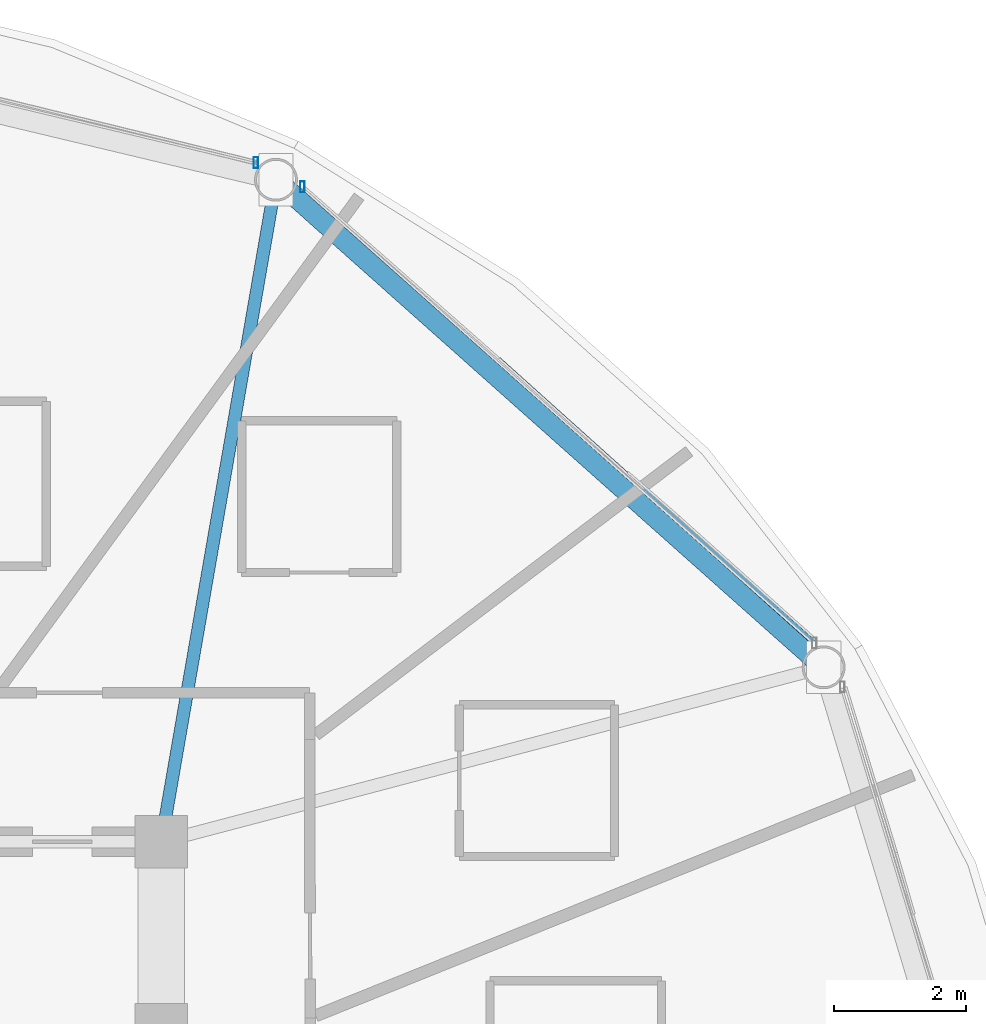
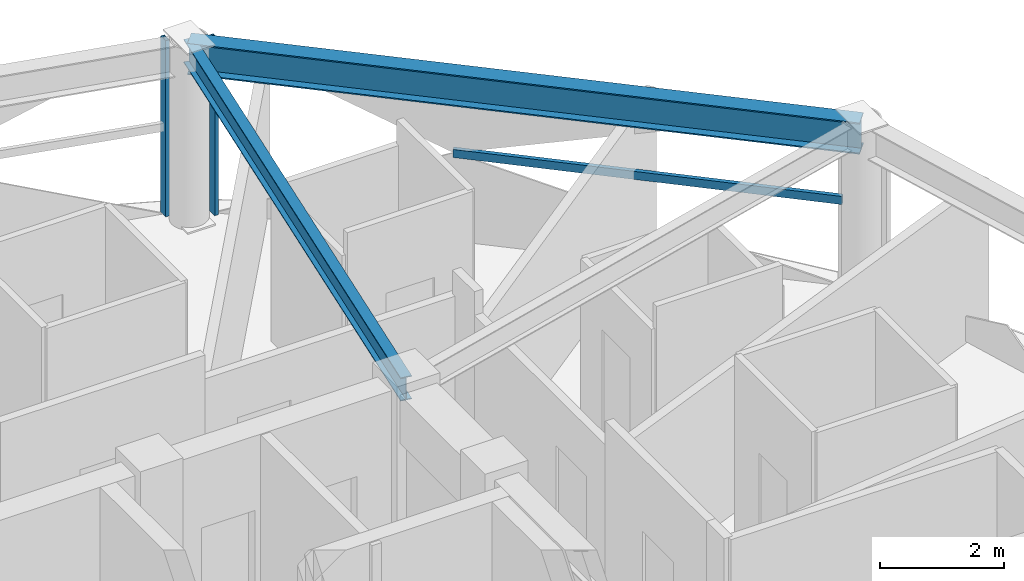
# One storey, part 20 of 30: 3 members, 2 beams, 2 elements without a shape of their own.
"""IFC4 building model written with IfcOpenShell, lengths in metres."""

from ifc_helpers import new_model, si_unit, direction, frame, origin, origin_2d, place, context, subcontext, project, spatial, hollow_rectangle, i_section, extrude, material, layer, layer_set, material_profile, profile_set, type_object, element, aggregate, save


model = new_model("IFC4")

# Units and contexts
model_context = context("Model", 3, precision=1e-05, world=origin(), true_north=direction((0.0, 1.0)))
body_context = subcontext(model_context, "Body", "Model", "MODEL_VIEW")
ifc_project = project(units=[si_unit("LENGTHUNIT", "METRE"), si_unit("AREAUNIT", "SQUARE_METRE"), si_unit("VOLUMEUNIT", "CUBIC_METRE"), si_unit("PLANEANGLEUNIT", "RADIAN"), si_unit("MASSUNIT", "GRAM", prefix="KILO")], contexts=[model_context])

# Site, building, storey
site_placement = place(None, origin())
site = spatial("IfcSite", under=ifc_project, at=site_placement, CompositionType="ELEMENT")
building_placement = place(site_placement, origin())
building = spatial("IfcBuilding", under=site, at=building_placement, Name="Vantalir Tower", CompositionType="ELEMENT")
storey_placement = place(building_placement, frame((0.0, 0.0, 186.14990234375)))
storey = spatial("IfcBuildingStorey", under=building, at=storey_placement, Name="L46", CompositionType="ELEMENT", Elevation=186.14990234375)

# Beams
ifc_material_1 = material(Name="Steel S355", Category="steel")
ifc_material_profile_1 = material_profile(ifc_material_1, i_section(OverallWidth=0.19189453125, OverallDepth=0.462890625, WebThickness=0.010498046875, FlangeThickness=0.017578125, at=origin_2d()), Name="Steel S355")
ifc_profile_set_1 = profile_set([ifc_material_profile_1], Name="Steel S355")
beam_type_1 = type_object("IfcBeamType", Name="BM-RB-457x191", PredefinedType="BEAM", material=ifc_profile_set_1)
beam_1_placement = place(storey_placement, frame((42.837890625, 42.48291015625, 3.338134765625), z_axis=(-0.170667231152, -0.98532872495, 0.0), x_axis=(0.98532872495, -0.170667231152, 0.0)))
element("IfcBeam", 1, at=beam_1_placement, inside=storey, type_object=beam_type_1, Name="L46 Radial Floor Beam 03", PredefinedType="BEAM", context=body_context, shape_type="SweptSolid", body=[
    extrude(i_section(OverallWidth=0.19189453125, OverallDepth=0.462890625, WebThickness=0.010498046875, FlangeThickness=0.017578125, at=origin_2d()), origin(), (0.0, 0.0, 1.0), 10.182373046875),
])
ifc_material_2 = material(Name="Steel S460", Category="steel")
ifc_material_profile_2 = material_profile(ifc_material_2, i_section(OverallWidth=0.306884765625, OverallDepth=0.6201171875, WebThickness=0.01416015625, FlangeThickness=0.023681640625, at=origin_2d()), Name="Steel S460")
ifc_profile_set_2 = profile_set([ifc_material_profile_2], Name="Steel S460")
beam_type_2 = type_object("IfcBeamType", Name="BM-RG-610x305", PredefinedType="USERDEFINED", material=ifc_profile_set_2)
beam_2_placement = place(storey_placement, frame((51.137939453125, 35.093994140625, 3.260009765625), z_axis=(-0.746913346666, 0.664921388265, 0.0), x_axis=(-0.664921388265, -0.746913346666, 0.0)))
element("IfcBeam", 2, at=beam_2_placement, inside=storey, type_object=beam_type_2, Name="L46 Circumferential Ring Girder 02", ObjectType="GIRDER", PredefinedType="USERDEFINED", context=body_context, shape_type="SweptSolid", body=[
    extrude(i_section(OverallWidth=0.306884765625, OverallDepth=0.6201171875, WebThickness=0.01416015625, FlangeThickness=0.023681640625, at=origin_2d()), origin(), (0.0, 0.0, 1.0), 11.112548828125),
])

# Curtain wall, member
ifc_material_3 = material(Name="Champagne-silver PVDF aluminium and double-silver Low-E glass", Category="aluminium")
ifc_layer = layer(ifc_material_3, 0.2099609375)
ifc_layer_set = layer_set([ifc_layer], Name="Champagne-silver PVDF aluminium and double-silver Low-E glass")
curtain_wall_type = type_object("IfcCurtainWallType", Name="CW-DIAMOND-Z3", PredefinedType="USERDEFINED", material=ifc_layer_set)
curtain_wall_1_placement = place(storey_placement, origin())
curtain_wall_1 = element("IfcCurtainWall", 3, at=curtain_wall_1_placement, inside=storey, type_object=curtain_wall_type, Name="L46 Quilted Pyramid-Diamond Curtain Wall S02", ObjectType="UNITISED CURTAIN WALL", PredefinedType="USERDEFINED")
ifc_material_4 = material(Name="Champagne-silver PVDF aluminium 6063-T6", Category="aluminium")
ifc_material_profile_3 = material_profile(ifc_material_4, hollow_rectangle(XDim=0.070068359375, YDim=0.1650390625, WallThickness=0.00390625, at=origin_2d()), Name="Champagne-silver PVDF aluminium 6063-T6")
ifc_profile_set_3 = profile_set([ifc_material_profile_3], Name="Champagne-silver PVDF aluminium 6063-T6")
member_type_1 = type_object("IfcMemberType", Name="CWM-165x70", PredefinedType="MULLION", material=ifc_profile_set_3)
member_1_placement = place(storey_placement, frame((43.239013671875, 42.375, 0.045166015625), z_axis=(0.0, 0.0, 1.0), x_axis=(1.0, 0.0, 0.0)))
member_1 = element("IfcMember", 4, at=member_1_placement, type_object=member_type_1, Name="CW-L46-S02 Mullion 2", PredefinedType="MULLION", context=body_context, shape_type="SweptSolid", body=[
    extrude(hollow_rectangle(XDim=0.070068359375, YDim=0.1650390625, WallThickness=0.00390625, at=origin_2d()), origin(), (0.0, 0.0, 1.0), 3.47998046875),
])

curtain_wall_2_placement = place(storey_placement, origin())
curtain_wall_2 = element("IfcCurtainWall", 5, at=curtain_wall_2_placement, inside=storey, type_object=curtain_wall_type, Name="L46 Quilted Pyramid-Diamond Curtain Wall S03", ObjectType="UNITISED CURTAIN WALL", PredefinedType="USERDEFINED")
member_2_placement = place(storey_placement, frame((42.533935546875, 42.742919921875, 0.045166015625), z_axis=(0.0, 0.0, 1.0), x_axis=(1.0, 0.0, 0.0)))
member_2 = element("IfcMember", 6, at=member_2_placement, type_object=member_type_1, Name="CW-L46-S03 Mullion 1", PredefinedType="MULLION", context=body_context, shape_type="SweptSolid", body=[
    extrude(hollow_rectangle(XDim=0.070068359375, YDim=0.1650390625, WallThickness=0.00390625, at=origin_2d()), origin(), (0.0, 0.0, 1.0), 3.47998046875),
])
aggregate(curtain_wall_2, [member_2])

# Member
ifc_material_profile_4 = material_profile(ifc_material_4, hollow_rectangle(XDim=0.074951171875, YDim=0.159912109375, WallThickness=0.00390625, at=origin_2d()), Name="Champagne-silver PVDF aluminium 6063-T6")
ifc_profile_set_4 = profile_set([ifc_material_profile_4], Name="Champagne-silver PVDF aluminium 6063-T6")
member_type_2 = type_object("IfcMemberType", Name="CWT-160x75", PredefinedType="USERDEFINED", material=ifc_profile_set_4)
member_3_placement = place(storey_placement, frame((50.9970703125, 35.4619140625, 1.78515625), z_axis=(-0.744119078161, 0.668047002475, 0.0), x_axis=(-0.668047002475, -0.744119078161, 0.0)))
member_3 = element("IfcMember", 7, at=member_3_placement, type_object=member_type_2, Name="CW-L46-S02 Pyramid Fold Ridge Transom", ObjectType="TRANSOM", PredefinedType="USERDEFINED", context=body_context, shape_type="SweptSolid", body=[
    extrude(hollow_rectangle(XDim=0.074951171875, YDim=0.159912109375, WallThickness=0.00390625, at=origin_2d()), origin(), (0.0, 0.0, 1.0), 6.441162109375),
])

aggregate(curtain_wall_1, [member_1, member_3])

save(model, "model.ifc")
